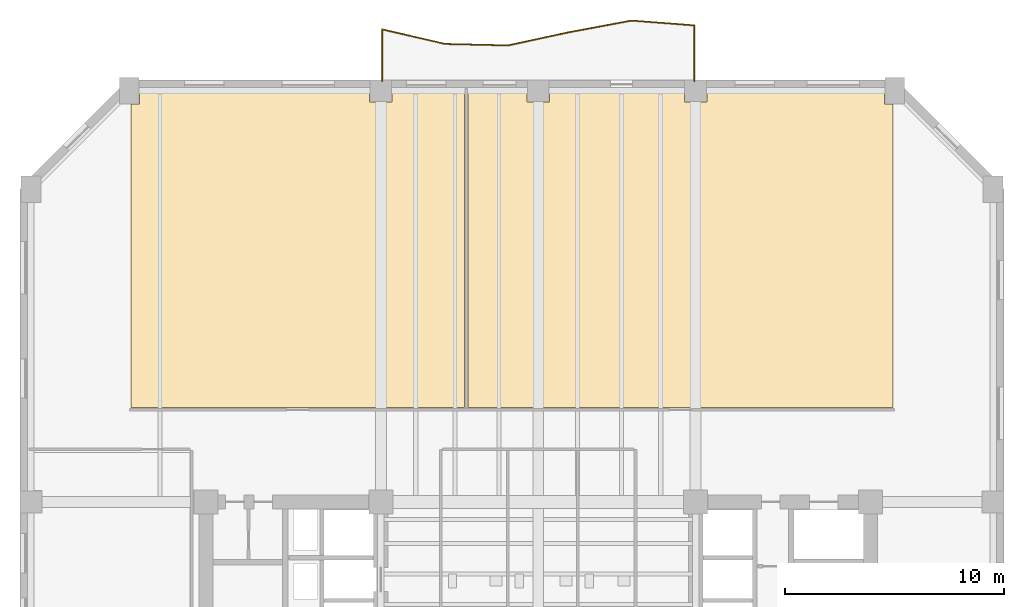
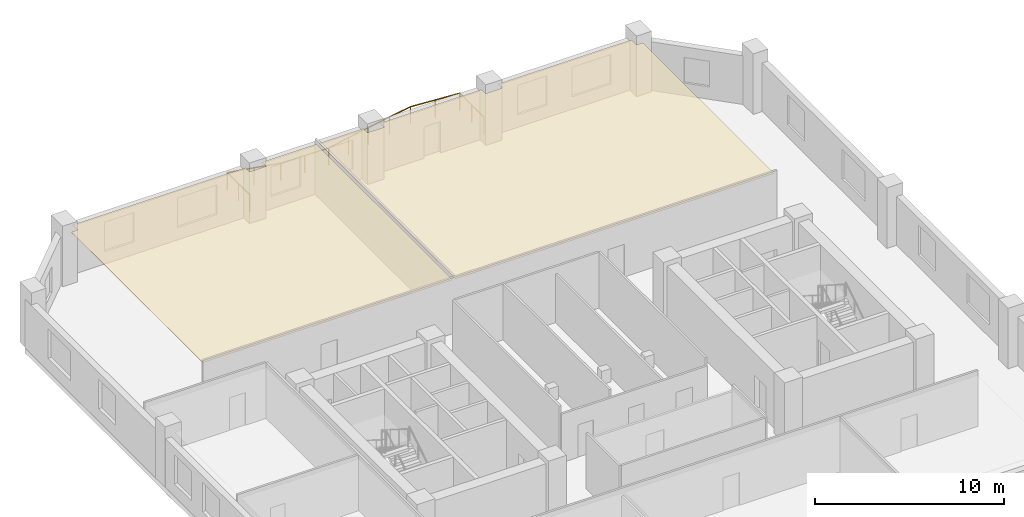
# One storey, part 9 of 10: 2 coverings, 1 railing.
"""IFC4 building model written with IfcOpenShell, lengths in metres."""

from ifc_helpers import new_model, si_unit, direction, frame, origin, origin_2d, place, context, subcontext, project, spatial, polyline, circle, outline, extrude, material, layer, layer_set, type_object, element, save


model = new_model("IFC4")

# Units and contexts
model_context = context("Model", 3, precision=1e-05, world=origin(), true_north=direction((0.0, 1.0)))
body_context = subcontext(model_context, "Body", "Model", "MODEL_VIEW")
ifc_project = project(units=[si_unit("LENGTHUNIT", "METRE"), si_unit("AREAUNIT", "SQUARE_METRE"), si_unit("VOLUMEUNIT", "CUBIC_METRE"), si_unit("PLANEANGLEUNIT", "RADIAN"), si_unit("MASSUNIT", "GRAM", prefix="KILO")], contexts=[model_context])

# Site, building, storey
site_placement = place(None, origin())
site = spatial("IfcSite", under=ifc_project, at=site_placement, CompositionType="ELEMENT")
building_placement = place(site_placement, origin())
building = spatial("IfcBuilding", under=site, at=building_placement, Name="Kranthara Brick Stack", CompositionType="ELEMENT")
storey_placement = place(building_placement, frame((0.0, 0.0, 98.39990234375)))
storey = spatial("IfcBuildingStorey", under=building, at=storey_placement, Name="L24", CompositionType="ELEMENT", Elevation=98.39990234375)

# Coverings
ifc_material_1 = material(Name="Perforated mineral-fibre acoustic ceiling tile", Category="other")
ifc_layer = layer(ifc_material_1, 0.02490234375)
ifc_layer_set = layer_set([ifc_layer], Name="Perforated mineral-fibre acoustic ceiling tile")
covering_type = type_object("IfcCoveringType", Name="COV-CEIL-ACOUSTIC", PredefinedType="CEILING", material=ifc_layer_set)
covering_1_placement = place(storey_placement, frame((0.0, 0.0, 3.330078125)))
element("IfcCovering", 1, at=covering_1_placement, inside=storey, type_object=covering_type, Name="L24 L24 Open Plan Workspace 1 Acoustic Ceiling", PredefinedType="CEILING", context=body_context, shape_type="SweptSolid", body=[
    extrude(outline(polyline([(24.6201171875, 37.919921875), (9.3798828125, 37.919921875), (9.3798828125, 51.7900390625), (9.760009765625, 51.7900390625), (9.760009765625, 52.330078125), (20.2900390625, 52.330078125), (20.2900390625, 51.889892578125), (21.31005859375, 51.889892578125), (21.31005859375, 52.330078125), (24.6201171875, 52.330078125), (24.6201171875, 37.919921875)])), origin(), (0.0, 0.0, 1.0), 0.02490234375),
])
covering_2_placement = place(storey_placement, frame((0.0, 0.0, 3.330078125)))
element("IfcCovering", 2, at=covering_2_placement, inside=storey, type_object=covering_type, Name="L24 L24 Staff Pantry 2 Acoustic Ceiling", PredefinedType="CEILING", context=body_context, shape_type="SweptSolid", body=[
    extrude(outline(polyline([(24.780029296875, 37.919921875), (24.780029296875, 52.330078125), (27.489990234375, 52.330078125), (27.489990234375, 51.889892578125), (28.510009765625, 51.889892578125), (28.510009765625, 52.330078125), (34.68994140625, 52.330078125), (34.68994140625, 51.889892578125), (35.7099609375, 51.889892578125), (35.7099609375, 52.330078125), (43.840087890625, 52.330078125), (43.840087890625, 51.7900390625), (44.219970703125, 51.7900390625), (44.219970703125, 37.919921875), (24.780029296875, 37.919921875)])), origin(), (0.0, 0.0, 1.0), 0.02490234375),
])

# Railing
ifc_material_2 = material(Name="Bronze anodised aluminium and laminated glass balustrade", Category="aluminium")
railing_type = type_object("IfcRailingType", Name="RL-BALC-1120", PredefinedType="BALUSTRADE", material=ifc_material_2)
railing_placement = place(storey_placement, frame((20.860107421875, 52.840087890625, 0.0)))
element("IfcRailing", 3, at=railing_placement, inside=storey, type_object=railing_type, Name="L24 North Rippling Balcony Balustrade", PredefinedType="BALUSTRADE", context=body_context, shape_type="SweptSolid", body=[
    extrude(circle(Radius=0.02392578125, at=origin_2d()), frame((0.0, 0.0, 1.09619140625), z_axis=(-0.000205824839, 0.999999978818, 0.0), x_axis=(-0.999999978818, -0.000205824839, 0.0)), (0.0, 0.0, 1.0), 2.372314453125),
    extrude(circle(Radius=0.02392578125, at=origin_2d()), frame((-0.00048828125, 2.372314453125, 1.09619140625), z_axis=(0.974148490329, -0.225908651427, 0.0), x_axis=(0.225908651427, 0.974148490329, 0.0)), (0.0, 0.0, 1.0), 2.956787109375),
    extrude(circle(Radius=0.02392578125, at=origin_2d()), frame((2.8798828125, 1.704345703125, 1.09619140625), z_axis=(0.999728409059, -0.023304680215, 0.0), x_axis=(0.023304680215, 0.999728409059, 0.0)), (0.0, 0.0, 1.0), 2.880859375),
    extrude(circle(Radius=0.02392578125, at=origin_2d()), frame((5.760009765625, 1.63720703125, 1.09619140625), z_axis=(0.97741416544, 0.211332792528, 0.0), x_axis=(-0.211332792528, 0.97741416544, 0.0)), (0.0, 0.0, 1.0), 2.828125),
    extrude(circle(Radius=0.02392578125, at=origin_2d()), frame((8.524169921875, 2.23486328125, 1.09619140625), z_axis=(0.98294857176, 0.183880682169, 0.0), x_axis=(-0.183880682169, 0.98294857176, 0.0)), (0.0, 0.0, 1.0), 2.927490234375),
    extrude(circle(Radius=0.02392578125, at=origin_2d()), frame((11.40185546875, 2.773193359375, 1.09619140625), z_axis=(0.997092666857, -0.076198515084, 0.0), x_axis=(0.076198515084, 0.997092666857, 0.0)), (0.0, 0.0, 1.0), 2.88671875),
    extrude(circle(Radius=0.02392578125, at=origin_2d()), frame((14.2802734375, 2.55322265625, 1.09619140625), z_axis=(-0.000191241152, -0.999999981713, 0.0), x_axis=(0.999999981713, -0.000191241152, 0.0)), (0.0, 0.0, 1.0), 2.55322265625),
    extrude(circle(Radius=0.02099609375, at=origin_2d()), origin(), (0.0, 0.0, 1.0), 1.072021484375),
    extrude(circle(Radius=0.02099609375, at=origin_2d()), frame((-0.000244140625, 1.18603515625, 0.0)), (0.0, 0.0, 1.0), 1.072021484375),
    extrude(circle(Radius=0.02099609375, at=origin_2d()), frame((-0.00048828125, 2.372314453125, 0.0)), (0.0, 0.0, 1.0), 1.072021484375),
    extrude(circle(Radius=0.02099609375, at=origin_2d()), frame((1.439697265625, 2.038330078125, 0.0)), (0.0, 0.0, 1.0), 1.072021484375),
    extrude(circle(Radius=0.02099609375, at=origin_2d()), frame((2.8798828125, 1.704345703125, 0.0)), (0.0, 0.0, 1.0), 1.072021484375),
    extrude(circle(Radius=0.02099609375, at=origin_2d()), frame((4.31982421875, 1.6708984375, 0.0)), (0.0, 0.0, 1.0), 1.072021484375),
    extrude(circle(Radius=0.02099609375, at=origin_2d()), frame((5.760009765625, 1.63720703125, 0.0)), (0.0, 0.0, 1.0), 1.072021484375),
    extrude(circle(Radius=0.02099609375, at=origin_2d()), frame((7.14208984375, 1.93603515625, 0.0)), (0.0, 0.0, 1.0), 1.072021484375),
    extrude(circle(Radius=0.02099609375, at=origin_2d()), frame((8.524169921875, 2.23486328125, 0.0)), (0.0, 0.0, 1.0), 1.072021484375),
    extrude(circle(Radius=0.02099609375, at=origin_2d()), frame((9.962890625, 2.50390625, 0.0)), (0.0, 0.0, 1.0), 1.072021484375),
    extrude(circle(Radius=0.02099609375, at=origin_2d()), frame((11.40185546875, 2.773193359375, 0.0)), (0.0, 0.0, 1.0), 1.072021484375),
    extrude(circle(Radius=0.02099609375, at=origin_2d()), frame((12.841064453125, 2.6630859375, 0.0)), (0.0, 0.0, 1.0), 1.072021484375),
    extrude(circle(Radius=0.02099609375, at=origin_2d()), frame((14.2802734375, 2.55322265625, 0.0)), (0.0, 0.0, 1.0), 1.072021484375),
    extrude(circle(Radius=0.02099609375, at=origin_2d()), frame((14.280029296875, 1.276611328125, 0.0)), (0.0, 0.0, 1.0), 1.072021484375),
    extrude(circle(Radius=0.02099609375, at=origin_2d()), frame((14.27978515625, 0.0, 0.0)), (0.0, 0.0, 1.0), 1.072021484375),
])

save(model, "model.ifc")
